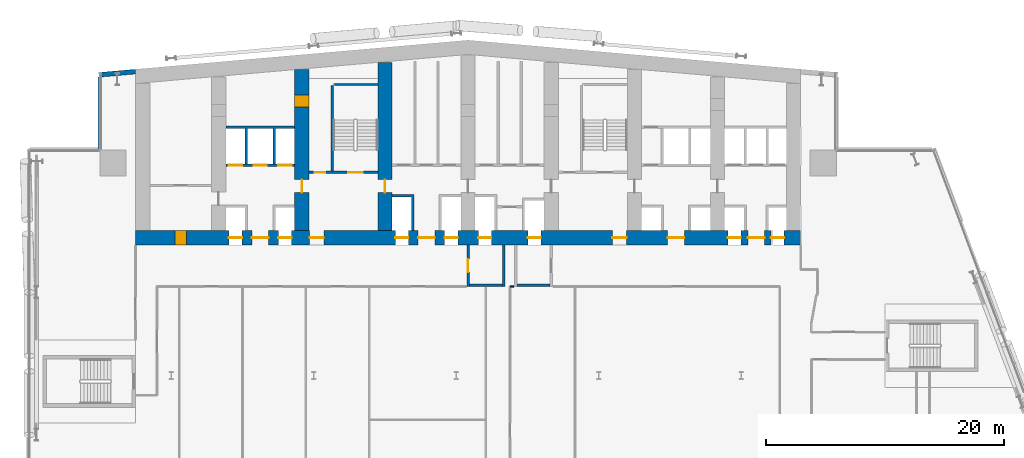
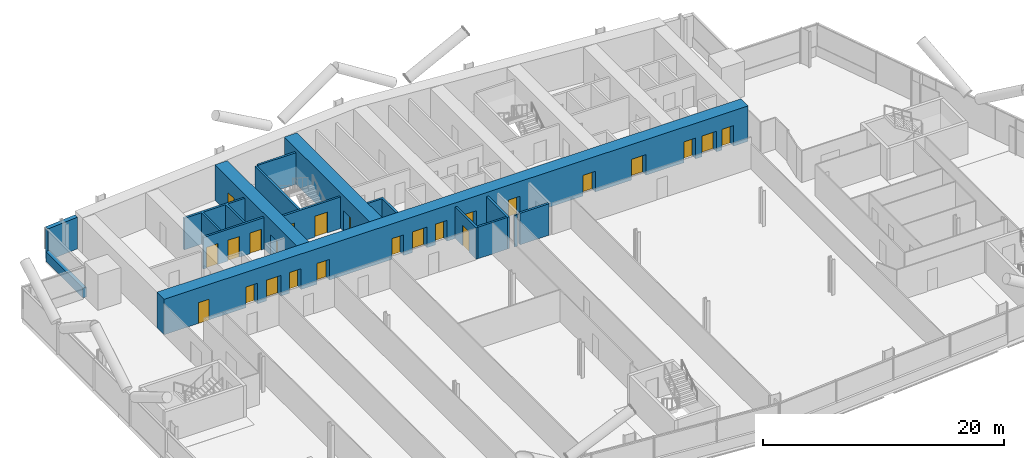
# One storey, part 14 of 25: 24 doors, 16 walls, 24 openings.
"""IFC4 building model written with IfcOpenShell, lengths in metres."""

from ifc_helpers import new_model, si_unit, direction, frame, frame_2d, origin, place, context, subcontext, project, spatial, polyline, rectangle, outline, extrude, material, layer, layer_set, type_object, element, fill, save


model = new_model("IFC4")

# Units and contexts
model_context = context("Model", 3, precision=1e-05, world=origin(), true_north=direction((0.0, 1.0)))
body_context = subcontext(model_context, "Body", "Model", "MODEL_VIEW")
ifc_project = project(units=[si_unit("LENGTHUNIT", "METRE"), si_unit("AREAUNIT", "SQUARE_METRE"), si_unit("VOLUMEUNIT", "CUBIC_METRE"), si_unit("PLANEANGLEUNIT", "RADIAN"), si_unit("MASSUNIT", "GRAM", prefix="KILO")], contexts=[model_context])

# Site, building, storey
site_placement = place(None, origin())
site = spatial("IfcSite", under=ifc_project, at=site_placement, CompositionType="ELEMENT")
building_placement = place(site_placement, origin())
building = spatial("IfcBuilding", under=site, at=building_placement, Name="Wharfspan Tower", CompositionType="ELEMENT")
storey_placement = place(building_placement, frame((0.0, 0.0, 63.100098)))
storey = spatial("IfcBuildingStorey", under=building, at=storey_placement, Name="L12", CompositionType="ELEMENT", Elevation=63.100098)

# Wall
ifc_material_1 = material(Name="Gypsum board on steel studs", Category="steel")
ifc_layer_1 = layer(ifc_material_1, 0.100098)
ifc_layer_set_1 = layer_set([ifc_layer_1], Name="Gypsum board on steel studs")
wall_type_1 = type_object("IfcWallType", Name="Compartment wall 100 EI 60", PredefinedType="PARTITIONING", material=ifc_layer_set_1)
wall_1_placement = place(storey_placement, frame((40.534912, 30.5, 0.0), z_axis=(0.0, 0.0, 1.0), x_axis=(1.0, 0.0, 0.0)))
element("IfcWall", 1, at=wall_1_placement, inside=storey, type_object=wall_type_1, Name="Partition L12.w018", PredefinedType="PARTITIONING", context=body_context, shape_type="SweptSolid", body=[
    extrude(rectangle(XDim=0.315186, YDim=0.100098, at=frame_2d((0.157715, 0.0))), origin(), (0.0, 0.0, 1.0), 3.199951),
])

# Wall, openings, doors
ifc_material_2 = material(Name="Concrete C70/85", Category="concrete")
ifc_layer_2 = layer(ifc_material_2, 1.199951)
ifc_layer_set_2 = layer_set([ifc_layer_2], Name="Concrete C70/85")
wall_type_2 = type_object("IfcWallType", Name="Core wall 1200 C70/85", PredefinedType="SHEAR", material=ifc_layer_set_2)
wall_2_placement = place(storey_placement, frame((9.0, 34.600098, 0.0), z_axis=(0.0, 0.0, 1.0), x_axis=(1.0, 0.0, 0.0)))
wall_2 = element("IfcWall", 2, at=wall_2_placement, inside=storey, type_object=wall_type_2, Name="Core front wall L12", PredefinedType="SHEAR", context=body_context, shape_type="SweptSolid", body=[
    extrude(rectangle(XDim=56.0, YDim=1.199951, at=frame_2d((28.0, 0.0))), origin(), (0.0, 0.0, 1.0), 3.599854),
])
opening_1_placement = place(wall_2_placement, frame((3.300049, 0.0, 0.0)))
opening_1 = element("IfcOpeningElement", 3, at=opening_1_placement, cuts=wall_2, Name="Opening CD12.01", PredefinedType="OPENING", context=body_context, shape_type="SweptSolid", body=[
    extrude(rectangle(XDim=1.0, YDim=2.100098, at=frame_2d((0.5, 1.050049))), frame((0.0, 0.609863, 0.0), z_axis=(0.0, -1.0, 0.0), x_axis=(1.0, 0.0, 0.0)), (0.0, 0.0, 1.0), 1.219971),
])
opening_2_placement = place(wall_2_placement, frame((7.866699, 0.0, 0.0)))
opening_2 = element("IfcOpeningElement", 4, at=opening_2_placement, cuts=wall_2, Name="Opening LD.LA1.L12", PredefinedType="OPENING", context=body_context, shape_type="SweptSolid", body=[
    extrude(rectangle(XDim=1.100098, YDim=2.100098, at=frame_2d((0.550049, 1.050049))), frame((0.0, 0.609863, 0.0), z_axis=(0.0, -1.0, 0.0), x_axis=(1.0, 0.0, 0.0)), (0.0, 0.0, 1.0), 1.219971),
])
opening_3_placement = place(wall_2_placement, frame((12.033203, 0.0, 0.0)))
opening_3 = element("IfcOpeningElement", 5, at=opening_3_placement, cuts=wall_2, Name="Opening LD.LA2.L12", PredefinedType="OPENING", context=body_context, shape_type="SweptSolid", body=[
    extrude(rectangle(XDim=1.100098, YDim=2.100098, at=frame_2d((0.550049, 1.050049))), frame((0.0, 0.609863, 0.0), z_axis=(0.0, -1.0, 0.0), x_axis=(1.0, 0.0, 0.0)), (0.0, 0.0, 1.0), 1.219971),
])
opening_4_placement = place(wall_2_placement, frame((9.800049, 0.0, 0.0)))
opening_4 = element("IfcOpeningElement", 6, at=opening_4_placement, cuts=wall_2, Name="Opening HD12.1", PredefinedType="OPENING", context=body_context, shape_type="SweptSolid", body=[
    extrude(rectangle(XDim=1.399902, YDim=2.100098, at=frame_2d((0.699951, 1.050049))), frame((0.0, 0.609863, 0.0), z_axis=(0.0, -1.0, 0.0), x_axis=(1.0, 0.0, 0.0)), (0.0, 0.0, 1.0), 1.219971),
])
opening_5_placement = place(wall_2_placement, frame((14.649902, 0.0, 0.0)))
opening_5 = element("IfcOpeningElement", 7, at=opening_5_placement, cuts=wall_2, Name="Opening SV2.L12", PredefinedType="OPENING", context=body_context, shape_type="SweptSolid", body=[
    extrude(rectangle(XDim=1.199951, YDim=2.100098, at=frame_2d((0.600098, 1.050049))), frame((0.0, 0.609863, 0.0), z_axis=(0.0, -1.0, 0.0), x_axis=(1.0, 0.0, 0.0)), (0.0, 0.0, 1.0), 1.219971),
])
opening_6_placement = place(wall_2_placement, frame((21.866699, 0.0, 0.0)))
opening_6 = element("IfcOpeningElement", 8, at=opening_6_placement, cuts=wall_2, Name="Opening LD.SL1.L12", PredefinedType="OPENING", context=body_context, shape_type="SweptSolid", body=[
    extrude(rectangle(XDim=1.100098, YDim=2.100098, at=frame_2d((0.550049, 1.050049))), frame((0.0, 0.609863, 0.0), z_axis=(0.0, -1.0, 0.0), x_axis=(1.0, 0.0, 0.0)), (0.0, 0.0, 1.0), 1.219971),
])
opening_7_placement = place(wall_2_placement, frame((26.033203, 0.0, 0.0)))
opening_7 = element("IfcOpeningElement", 9, at=opening_7_placement, cuts=wall_2, Name="Opening LD.SL2.L12", PredefinedType="OPENING", context=body_context, shape_type="SweptSolid", body=[
    extrude(rectangle(XDim=1.100098, YDim=2.100098, at=frame_2d((0.550049, 1.050049))), frame((0.0, 0.609863, 0.0), z_axis=(0.0, -1.0, 0.0), x_axis=(1.0, 0.0, 0.0)), (0.0, 0.0, 1.0), 1.219971),
])
opening_8_placement = place(wall_2_placement, frame((23.800049, 0.0, 0.0)))
opening_8 = element("IfcOpeningElement", 10, at=opening_8_placement, cuts=wall_2, Name="Opening HD12.3", PredefinedType="OPENING", context=body_context, shape_type="SweptSolid", body=[
    extrude(rectangle(XDim=1.399902, YDim=2.100098, at=frame_2d((0.699951, 1.050049))), frame((0.0, 0.609863, 0.0), z_axis=(0.0, -1.0, 0.0), x_axis=(1.0, 0.0, 0.0)), (0.0, 0.0, 1.0), 1.219971),
])
opening_9_placement = place(wall_2_placement, frame((28.866699, 0.0, 0.0)))
opening_9 = element("IfcOpeningElement", 11, at=opening_9_placement, cuts=wall_2, Name="Opening LD.FF1.L12", PredefinedType="OPENING", context=body_context, shape_type="SweptSolid", body=[
    extrude(rectangle(XDim=1.100098, YDim=2.100098, at=frame_2d((0.550049, 1.050049))), frame((0.0, 0.609863, 0.0), z_axis=(0.0, -1.0, 0.0), x_axis=(1.0, 0.0, 0.0)), (0.0, 0.0, 1.0), 1.219971),
])
opening_10_placement = place(wall_2_placement, frame((33.033203, 0.0, 0.0)))
opening_10 = element("IfcOpeningElement", 12, at=opening_10_placement, cuts=wall_2, Name="Opening LD.FF2.L12", PredefinedType="OPENING", context=body_context, shape_type="SweptSolid", body=[
    extrude(rectangle(XDim=1.100098, YDim=2.100098, at=frame_2d((0.550049, 1.050049))), frame((0.0, 0.609863, 0.0), z_axis=(0.0, -1.0, 0.0), x_axis=(1.0, 0.0, 0.0)), (0.0, 0.0, 1.0), 1.219971),
])
opening_11_placement = place(wall_2_placement, frame((40.149902, 0.0, 0.0)))
opening_11 = element("IfcOpeningElement", 13, at=opening_11_placement, cuts=wall_2, Name="Opening SV5.L12", PredefinedType="OPENING", context=body_context, shape_type="SweptSolid", body=[
    extrude(rectangle(XDim=1.199951, YDim=2.100098, at=frame_2d((0.600098, 1.050049))), frame((0.0, 0.609863, 0.0), z_axis=(0.0, -1.0, 0.0), x_axis=(1.0, 0.0, 0.0)), (0.0, 0.0, 1.0), 1.219971),
])
opening_12_placement = place(wall_2_placement, frame((44.800049, 0.0, 0.0)))
opening_12 = element("IfcOpeningElement", 14, at=opening_12_placement, cuts=wall_2, Name="Opening HD12.6", PredefinedType="OPENING", context=body_context, shape_type="SweptSolid", body=[
    extrude(rectangle(XDim=1.399902, YDim=2.100098, at=frame_2d((0.699951, 1.050049))), frame((0.0, 0.609863, 0.0), z_axis=(0.0, -1.0, 0.0), x_axis=(1.0, 0.0, 0.0)), (0.0, 0.0, 1.0), 1.219971),
])
opening_13_placement = place(wall_2_placement, frame((49.866699, 0.0, 0.0)))
opening_13 = element("IfcOpeningElement", 15, at=opening_13_placement, cuts=wall_2, Name="Opening LD.LA6.L12", PredefinedType="OPENING", context=body_context, shape_type="SweptSolid", body=[
    extrude(rectangle(XDim=1.100098, YDim=2.100098, at=frame_2d((0.550049, 1.050049))), frame((0.0, 0.609863, 0.0), z_axis=(0.0, -1.0, 0.0), x_axis=(1.0, 0.0, 0.0)), (0.0, 0.0, 1.0), 1.219971),
])
opening_14_placement = place(wall_2_placement, frame((53.5, 0.0, 0.0)))
opening_14 = element("IfcOpeningElement", 16, at=opening_14_placement, cuts=wall_2, Name="Opening LD.LA7.L12", PredefinedType="OPENING", context=body_context, shape_type="SweptSolid", body=[
    extrude(rectangle(XDim=1.100098, YDim=2.100098, at=frame_2d((0.550049, 1.050049))), frame((0.0, 0.609863, 0.0), z_axis=(0.0, -1.0, 0.0), x_axis=(1.0, 0.0, 0.0)), (0.0, 0.0, 1.0), 1.219971),
])
opening_15_placement = place(wall_2_placement, frame((51.56665, 0.0, 0.0)))
opening_15 = element("IfcOpeningElement", 17, at=opening_15_placement, cuts=wall_2, Name="Opening HD12.7", PredefinedType="OPENING", context=body_context, shape_type="SweptSolid", body=[
    extrude(rectangle(XDim=1.399902, YDim=2.100098, at=frame_2d((0.699951, 1.050049))), frame((0.0, 0.609863, 0.0), z_axis=(0.0, -1.0, 0.0), x_axis=(1.0, 0.0, 0.0)), (0.0, 0.0, 1.0), 1.219971),
])
ifc_material_3 = material(Name="Steel door leaf", Category="steel")
door_type_1 = type_object("IfcDoorType", Name="Core room door 1000x2100", OperationType="SINGLE_SWING_LEFT", PredefinedType="DOOR", material=ifc_material_3)
door_1_placement = place(opening_1_placement, origin())
door_1 = element("IfcDoor", 18, at=door_1_placement, inside=storey, type_object=door_type_1, Name="d:L12:0:rf", OperationType="SINGLE_SWING_LEFT", OverallHeight=2.100098, OverallWidth=1.0, PredefinedType="DOOR", context=body_context, shape_type="SweptSolid", body=[
    extrude(rectangle(XDim=1.0, YDim=2.100098, at=frame_2d((0.5, 1.050049))), frame((0.0, 0.599609, 0.0), z_axis=(0.0, -1.0, 0.0), x_axis=(1.0, 0.0, 0.0)), (0.0, 0.0, 1.0), 1.199463),
])
fill(opening_1, door_1)
door_type_2 = type_object("IfcDoorType", Name="Hall entry door 1400x2100", OperationType="DOUBLE_DOOR_SINGLE_SWING", PredefinedType="DOOR", material=ifc_material_3)
door_2_placement = place(opening_4_placement, origin())
door_2 = element("IfcDoor", 19, at=door_2_placement, inside=storey, type_object=door_type_2, Name="d:L12:1:hd1", OperationType="DOUBLE_DOOR_SINGLE_SWING", OverallHeight=2.100098, OverallWidth=1.399902, PredefinedType="DOOR", context=body_context, shape_type="SweptSolid", body=[
    extrude(rectangle(XDim=1.399902, YDim=2.100098, at=frame_2d((0.699951, 1.050049))), frame((0.0, 0.024902, 0.0), z_axis=(0.0, -1.0, 0.0), x_axis=(1.0, 0.0, 0.0)), (0.0, 0.0, 1.0), 0.050049),
])
fill(opening_4, door_2)
door_3_placement = place(opening_8_placement, origin())
door_3 = element("IfcDoor", 20, at=door_3_placement, inside=storey, type_object=door_type_2, Name="d:L12:3:hd3", OperationType="DOUBLE_DOOR_SINGLE_SWING", OverallHeight=2.100098, OverallWidth=1.399902, PredefinedType="DOOR", context=body_context, shape_type="SweptSolid", body=[
    extrude(rectangle(XDim=1.399902, YDim=2.100098, at=frame_2d((0.699951, 1.050049))), frame((0.0, 0.024902, 0.0), z_axis=(0.0, -1.0, 0.0), x_axis=(1.0, 0.0, 0.0)), (0.0, 0.0, 1.0), 0.050049),
])
fill(opening_8, door_3)
door_4_placement = place(opening_12_placement, origin())
door_4 = element("IfcDoor", 21, at=door_4_placement, inside=storey, type_object=door_type_2, Name="d:L12:6:hd6", OperationType="DOUBLE_DOOR_SINGLE_SWING", OverallHeight=2.100098, OverallWidth=1.399902, PredefinedType="DOOR", context=body_context, shape_type="SweptSolid", body=[
    extrude(rectangle(XDim=1.399902, YDim=2.100098, at=frame_2d((0.699951, 1.050049))), frame((0.0, 0.024902, 0.0), z_axis=(0.0, -1.0, 0.0), x_axis=(1.0, 0.0, 0.0)), (0.0, 0.0, 1.0), 0.050049),
])
fill(opening_12, door_4)
door_5_placement = place(opening_15_placement, origin())
door_5 = element("IfcDoor", 22, at=door_5_placement, inside=storey, type_object=door_type_2, Name="d:L12:7:hd7", OperationType="DOUBLE_DOOR_SINGLE_SWING", OverallHeight=2.100098, OverallWidth=1.399902, PredefinedType="DOOR", context=body_context, shape_type="SweptSolid", body=[
    extrude(rectangle(XDim=1.399902, YDim=2.100098, at=frame_2d((0.699951, 1.050049))), frame((0.0, 0.024902, 0.0), z_axis=(0.0, -1.0, 0.0), x_axis=(1.0, 0.0, 0.0)), (0.0, 0.0, 1.0), 0.050049),
])
fill(opening_15, door_5)
ifc_material_4 = material(Name="Stainless steel", Category="steel")
door_type_3 = type_object("IfcDoorType", Name="Lift landing door 1100x2100", OperationType="DOUBLE_DOOR_SLIDING", PredefinedType="DOOR", material=ifc_material_4)
door_6_placement = place(opening_2_placement, origin())
door_6 = element("IfcDoor", 23, at=door_6_placement, inside=storey, type_object=door_type_3, Name="Landing door LA1 L12", OperationType="DOUBLE_DOOR_SLIDING", OverallHeight=2.100098, OverallWidth=1.100098, PredefinedType="DOOR", context=body_context, shape_type="SweptSolid", body=[
    extrude(rectangle(XDim=1.100098, YDim=2.100098, at=frame_2d((0.550049, 1.050049))), frame((0.0, 0.024902, 0.0), z_axis=(0.0, -1.0, 0.0), x_axis=(1.0, 0.0, 0.0)), (0.0, 0.0, 1.0), 0.050049),
])
fill(opening_2, door_6)
door_7_placement = place(opening_3_placement, origin())
door_7 = element("IfcDoor", 24, at=door_7_placement, inside=storey, type_object=door_type_3, Name="Landing door LA2 L12", OperationType="DOUBLE_DOOR_SLIDING", OverallHeight=2.100098, OverallWidth=1.100098, PredefinedType="DOOR", context=body_context, shape_type="SweptSolid", body=[
    extrude(rectangle(XDim=1.100098, YDim=2.100098, at=frame_2d((0.550049, 1.050049))), frame((0.0, 0.024902, 0.0), z_axis=(0.0, -1.0, 0.0), x_axis=(1.0, 0.0, 0.0)), (0.0, 0.0, 1.0), 0.050049),
])
fill(opening_3, door_7)
door_8_placement = place(opening_6_placement, origin())
door_8 = element("IfcDoor", 25, at=door_8_placement, inside=storey, type_object=door_type_3, Name="Landing door SL1 L12", OperationType="DOUBLE_DOOR_SLIDING", OverallHeight=2.100098, OverallWidth=1.100098, PredefinedType="DOOR", context=body_context, shape_type="SweptSolid", body=[
    extrude(rectangle(XDim=1.100098, YDim=2.100098, at=frame_2d((0.550049, 1.050049))), frame((0.0, 0.024902, 0.0), z_axis=(0.0, -1.0, 0.0), x_axis=(1.0, 0.0, 0.0)), (0.0, 0.0, 1.0), 0.050049),
])
fill(opening_6, door_8)
door_9_placement = place(opening_7_placement, origin())
door_9 = element("IfcDoor", 26, at=door_9_placement, inside=storey, type_object=door_type_3, Name="Landing door SL2 L12", OperationType="DOUBLE_DOOR_SLIDING", OverallHeight=2.100098, OverallWidth=1.100098, PredefinedType="DOOR", context=body_context, shape_type="SweptSolid", body=[
    extrude(rectangle(XDim=1.100098, YDim=2.100098, at=frame_2d((0.550049, 1.050049))), frame((0.0, 0.024902, 0.0), z_axis=(0.0, -1.0, 0.0), x_axis=(1.0, 0.0, 0.0)), (0.0, 0.0, 1.0), 0.050049),
])
fill(opening_7, door_9)
door_10_placement = place(opening_9_placement, origin())
door_10 = element("IfcDoor", 27, at=door_10_placement, inside=storey, type_object=door_type_3, Name="Landing door FF1 L12", OperationType="DOUBLE_DOOR_SLIDING", OverallHeight=2.100098, OverallWidth=1.100098, PredefinedType="DOOR", context=body_context, shape_type="SweptSolid", body=[
    extrude(rectangle(XDim=1.100098, YDim=2.100098, at=frame_2d((0.550049, 1.050049))), frame((0.0, 0.024902, 0.0), z_axis=(0.0, -1.0, 0.0), x_axis=(1.0, 0.0, 0.0)), (0.0, 0.0, 1.0), 0.050049),
])
fill(opening_9, door_10)
door_11_placement = place(opening_10_placement, origin())
door_11 = element("IfcDoor", 28, at=door_11_placement, inside=storey, type_object=door_type_3, Name="Landing door FF2 L12", OperationType="DOUBLE_DOOR_SLIDING", OverallHeight=2.100098, OverallWidth=1.100098, PredefinedType="DOOR", context=body_context, shape_type="SweptSolid", body=[
    extrude(rectangle(XDim=1.100098, YDim=2.100098, at=frame_2d((0.550049, 1.050049))), frame((0.0, 0.024902, 0.0), z_axis=(0.0, -1.0, 0.0), x_axis=(1.0, 0.0, 0.0)), (0.0, 0.0, 1.0), 0.050049),
])
fill(opening_10, door_11)
door_12_placement = place(opening_13_placement, origin())
door_12 = element("IfcDoor", 29, at=door_12_placement, inside=storey, type_object=door_type_3, Name="Landing door LA6 L12", OperationType="DOUBLE_DOOR_SLIDING", OverallHeight=2.100098, OverallWidth=1.100098, PredefinedType="DOOR", context=body_context, shape_type="SweptSolid", body=[
    extrude(rectangle(XDim=1.100098, YDim=2.100098, at=frame_2d((0.550049, 1.050049))), frame((0.0, 0.024902, 0.0), z_axis=(0.0, -1.0, 0.0), x_axis=(1.0, 0.0, 0.0)), (0.0, 0.0, 1.0), 0.050049),
])
fill(opening_13, door_12)
door_13_placement = place(opening_14_placement, origin())
door_13 = element("IfcDoor", 30, at=door_13_placement, inside=storey, type_object=door_type_3, Name="Landing door LA7 L12", OperationType="DOUBLE_DOOR_SLIDING", OverallHeight=2.100098, OverallWidth=1.100098, PredefinedType="DOOR", context=body_context, shape_type="SweptSolid", body=[
    extrude(rectangle(XDim=1.100098, YDim=2.100098, at=frame_2d((0.550049, 1.050049))), frame((0.0, 0.024902, 0.0), z_axis=(0.0, -1.0, 0.0), x_axis=(1.0, 0.0, 0.0)), (0.0, 0.0, 1.0), 0.050049),
])
fill(opening_14, door_13)
door_type_4 = type_object("IfcDoorType", Name="Stair door 1200x2100", OperationType="SINGLE_SWING_LEFT", PredefinedType="DOOR", material=ifc_material_3)
door_14_placement = place(opening_5_placement, origin())
door_14 = element("IfcDoor", 31, at=door_14_placement, inside=storey, type_object=door_type_4, Name="vd:L12:2", OperationType="SINGLE_SWING_LEFT", OverallHeight=2.100098, OverallWidth=1.199951, PredefinedType="DOOR", context=body_context, shape_type="SweptSolid", body=[
    extrude(rectangle(XDim=1.199951, YDim=2.100098, at=frame_2d((0.600098, 1.050049))), frame((0.0, 0.024902, 0.0), z_axis=(0.0, -1.0, 0.0), x_axis=(1.0, 0.0, 0.0)), (0.0, 0.0, 1.0), 0.050049),
])
fill(opening_5, door_14)
door_15_placement = place(opening_11_placement, origin())
door_15 = element("IfcDoor", 32, at=door_15_placement, inside=storey, type_object=door_type_4, Name="vd:L12:5", OperationType="SINGLE_SWING_LEFT", OverallHeight=2.100098, OverallWidth=1.199951, PredefinedType="DOOR", context=body_context, shape_type="SweptSolid", body=[
    extrude(rectangle(XDim=1.199951, YDim=2.100098, at=frame_2d((0.600098, 1.050049))), frame((0.0, 0.024902, 0.0), z_axis=(0.0, -1.0, 0.0), x_axis=(1.0, 0.0, 0.0)), (0.0, 0.0, 1.0), 0.050049),
])
fill(opening_11, door_15)

wall_3_placement = place(storey_placement, frame((23.0, 35.199951, 0.0), z_axis=(0.0, 0.0, 1.0), x_axis=(0.0, 1.0, 0.0)))
wall_3 = element("IfcWall", 33, at=wall_3_placement, inside=storey, type_object=wall_type_2, Name="Core cross wall X2 L12", PredefinedType="SHEAR", context=body_context, shape_type="SweptSolid", body=[
    extrude(rectangle(XDim=13.555176, YDim=1.199951, at=frame_2d((6.777588, 0.0))), origin(), (0.0, 0.0, 1.0), 3.599854),
])
opening_16_placement = place(wall_3_placement, frame((10.413818, 0.0, 0.0)))
opening_16 = element("IfcOpeningElement", 34, at=opening_16_placement, cuts=wall_3, Name="Opening CD12.1X", PredefinedType="OPENING", context=body_context, shape_type="SweptSolid", body=[
    extrude(rectangle(XDim=1.0, YDim=2.100098, at=frame_2d((0.5, 1.050049))), frame((0.0, 0.609863, 0.0), z_axis=(0.0, -1.0, 0.0), x_axis=(1.0, 0.0, 0.0)), (0.0, 0.0, 1.0), 1.219971),
])
opening_17_placement = place(wall_3_placement, frame((3.199951, 0.0, 0.0)))
opening_17 = element("IfcOpeningElement", 35, at=opening_17_placement, cuts=wall_3, Name="Opening CC12.2", PredefinedType="OPENING", context=body_context, shape_type="SweptSolid", body=[
    extrude(rectangle(XDim=1.100098, YDim=2.100098, at=frame_2d((0.550049, 1.050049))), frame((0.0, 0.609863, 0.0), z_axis=(0.0, -1.0, 0.0), x_axis=(1.0, 0.0, 0.0)), (0.0, 0.0, 1.0), 1.219971),
])
door_type_5 = type_object("IfcDoorType", Name="Core corridor door 1100x2100", OperationType="SINGLE_SWING_LEFT", PredefinedType="DOOR", material=ifc_material_3)
door_16_placement = place(opening_17_placement, origin())
door_16 = element("IfcDoor", 36, at=door_16_placement, inside=storey, type_object=door_type_5, Name="xd:L12:2", OperationType="SINGLE_SWING_RIGHT", OverallHeight=2.100098, OverallWidth=1.100098, PredefinedType="DOOR", context=body_context, shape_type="SweptSolid", body=[
    extrude(rectangle(XDim=1.100098, YDim=2.100098, at=frame_2d((0.550049, 1.050049))), frame((0.0, 0.024902, 0.0), z_axis=(0.0, -1.0, 0.0), x_axis=(1.0, 0.0, 0.0)), (0.0, 0.0, 1.0), 0.050049),
])
fill(opening_17, door_16)
door_17_placement = place(opening_16_placement, origin())
door_17 = element("IfcDoor", 37, at=door_17_placement, inside=storey, type_object=door_type_1, Name="d:L12:1:sx", OperationType="SINGLE_SWING_LEFT", OverallHeight=2.100098, OverallWidth=1.0, PredefinedType="DOOR", context=body_context, shape_type="SweptSolid", body=[
    extrude(rectangle(XDim=1.0, YDim=2.100098, at=frame_2d((0.5, 1.050049))), frame((0.0, 0.599609, 0.0), z_axis=(0.0, -1.0, 0.0), x_axis=(1.0, 0.0, 0.0)), (0.0, 0.0, 1.0), 1.199463),
])
fill(opening_16, door_17)

# Wall, opening, door
wall_4_placement = place(storey_placement, frame((30.0, 35.199951, 0.0), z_axis=(0.0, 0.0, 1.0), x_axis=(0.0, 1.0, 0.0)))
wall_4 = element("IfcWall", 38, at=wall_4_placement, inside=storey, type_object=wall_type_2, Name="Core cross wall X3 L12", PredefinedType="SHEAR", context=body_context, shape_type="SweptSolid", body=[
    extrude(rectangle(XDim=14.167725, YDim=1.199951, at=frame_2d((7.083984, 0.0))), origin(), (0.0, 0.0, 1.0), 3.599854),
])
opening_18_placement = place(wall_4_placement, frame((3.199951, 0.0, 0.0)))
opening_18 = element("IfcOpeningElement", 39, at=opening_18_placement, cuts=wall_4, Name="Opening CC12.3", PredefinedType="OPENING", context=body_context, shape_type="SweptSolid", body=[
    extrude(rectangle(XDim=1.100098, YDim=2.100098, at=frame_2d((0.550049, 1.050049))), frame((0.0, 0.609863, 0.0), z_axis=(0.0, -1.0, 0.0), x_axis=(1.0, 0.0, 0.0)), (0.0, 0.0, 1.0), 1.219971),
])
door_18_placement = place(opening_18_placement, origin())
door_18 = element("IfcDoor", 40, at=door_18_placement, inside=storey, type_object=door_type_5, Name="xd:L12:3", OperationType="SINGLE_SWING_LEFT", OverallHeight=2.100098, OverallWidth=1.100098, PredefinedType="DOOR", context=body_context, shape_type="SweptSolid", body=[
    extrude(rectangle(XDim=1.100098, YDim=2.100098, at=frame_2d((0.550049, 1.050049))), frame((0.0, 0.024902, 0.0), z_axis=(0.0, -1.0, 0.0), x_axis=(1.0, 0.0, 0.0)), (0.0, 0.0, 1.0), 0.050049),
])
fill(opening_18, door_18)

# Wall, openings, doors
ifc_material_5 = material(Name="Concrete C30/37", Category="concrete")
ifc_layer_3 = layer(ifc_material_5, 0.199951)
ifc_layer_set_3 = layer_set([ifc_layer_3], Name="Concrete C30/37")
wall_type_3 = type_object("IfcWallType", Name="Lift shaft wall 200", PredefinedType="PARTITIONING", material=ifc_layer_set_3)
wall_5_placement = place(storey_placement, frame((16.600098, 40.699951, 0.0), z_axis=(0.0, 0.0, 1.0), x_axis=(1.0, 0.0, 0.0)))
wall_5 = element("IfcWall", 41, at=wall_5_placement, inside=storey, type_object=wall_type_3, Name="sw:L12:RF1", PredefinedType="PARTITIONING", context=body_context, shape_type="SweptSolid", body=[
    extrude(rectangle(XDim=5.799805, YDim=0.199951, at=frame_2d((2.899902, 0.0))), origin(), (0.0, 0.0, 1.0), 3.199951),
])
opening_19_placement = place(wall_5_placement, frame((0.266602, 0.0, 0.0)))
opening_19 = element("IfcOpeningElement", 42, at=opening_19_placement, cuts=wall_5, Name="Opening LD.LA3.L12", PredefinedType="OPENING", context=body_context, shape_type="SweptSolid", body=[
    extrude(rectangle(XDim=1.100098, YDim=2.100098, at=frame_2d((0.550049, 1.050049))), frame((0.0, 0.109863, 0.0), z_axis=(0.0, -1.0, 0.0), x_axis=(1.0, 0.0, 0.0)), (0.0, 0.0, 1.0), 0.219971),
])
opening_20_placement = place(wall_5_placement, frame((2.350098, 0.0, 0.0)))
opening_20 = element("IfcOpeningElement", 43, at=opening_20_placement, cuts=wall_5, Name="Opening LD.LA4.L12", PredefinedType="OPENING", context=body_context, shape_type="SweptSolid", body=[
    extrude(rectangle(XDim=1.100098, YDim=2.100098, at=frame_2d((0.550049, 1.050049))), frame((0.0, 0.109863, 0.0), z_axis=(0.0, -1.0, 0.0), x_axis=(1.0, 0.0, 0.0)), (0.0, 0.0, 1.0), 0.219971),
])
opening_21_placement = place(wall_5_placement, frame((4.43335, 0.0, 0.0)))
opening_21 = element("IfcOpeningElement", 44, at=opening_21_placement, cuts=wall_5, Name="Opening LD.LA5.L12", PredefinedType="OPENING", context=body_context, shape_type="SweptSolid", body=[
    extrude(rectangle(XDim=1.100098, YDim=2.100098, at=frame_2d((0.550049, 1.050049))), frame((0.0, 0.109863, 0.0), z_axis=(0.0, -1.0, 0.0), x_axis=(1.0, 0.0, 0.0)), (0.0, 0.0, 1.0), 0.219971),
])
door_19_placement = place(opening_19_placement, origin())
door_19 = element("IfcDoor", 45, at=door_19_placement, inside=storey, type_object=door_type_3, Name="Landing door LA3 L12", OperationType="DOUBLE_DOOR_SLIDING", OverallHeight=2.100098, OverallWidth=1.100098, PredefinedType="DOOR", context=body_context, shape_type="SweptSolid", body=[
    extrude(rectangle(XDim=1.100098, YDim=2.100098, at=frame_2d((0.550049, 1.050049))), frame((0.0, 0.024902, 0.0), z_axis=(0.0, -1.0, 0.0), x_axis=(1.0, 0.0, 0.0)), (0.0, 0.0, 1.0), 0.050049),
])
fill(opening_19, door_19)
door_20_placement = place(opening_20_placement, origin())
door_20 = element("IfcDoor", 46, at=door_20_placement, inside=storey, type_object=door_type_3, Name="Landing door LA4 L12", OperationType="DOUBLE_DOOR_SLIDING", OverallHeight=2.100098, OverallWidth=1.100098, PredefinedType="DOOR", context=body_context, shape_type="SweptSolid", body=[
    extrude(rectangle(XDim=1.100098, YDim=2.100098, at=frame_2d((0.550049, 1.050049))), frame((0.0, 0.024902, 0.0), z_axis=(0.0, -1.0, 0.0), x_axis=(1.0, 0.0, 0.0)), (0.0, 0.0, 1.0), 0.050049),
])
fill(opening_20, door_20)
door_21_placement = place(opening_21_placement, origin())
door_21 = element("IfcDoor", 47, at=door_21_placement, inside=storey, type_object=door_type_3, Name="Landing door LA5 L12", OperationType="DOUBLE_DOOR_SLIDING", OverallHeight=2.100098, OverallWidth=1.100098, PredefinedType="DOOR", context=body_context, shape_type="SweptSolid", body=[
    extrude(rectangle(XDim=1.100098, YDim=2.100098, at=frame_2d((0.550049, 1.050049))), frame((0.0, 0.024902, 0.0), z_axis=(0.0, -1.0, 0.0), x_axis=(1.0, 0.0, 0.0)), (0.0, 0.0, 1.0), 0.050049),
])
fill(opening_21, door_21)

# Walls
wall_6_placement = place(storey_placement, frame((0.0, 0.0, -0.000244)))
element("IfcWall", 48, at=wall_6_placement, inside=storey, type_object=wall_type_3, Name="sw:L12:RM1.0", PredefinedType="PARTITIONING", context=body_context, shape_type="SweptSolid", body=[
    extrude(outline(polyline([(18.43335, 40.800049), (18.233398, 40.800049), (18.233398, 43.800049), (16.600098, 43.800049), (16.600098, 44.0), (22.399902, 44.0), (22.399902, 43.800049), (20.766602, 43.800049), (20.766602, 40.800049), (20.56665, 40.800049), (20.56665, 43.800049), (18.43335, 43.800049), (18.43335, 40.800049)])), origin(), (0.0, 0.0, 1.0), 3.200195),
])
wall_7_placement = place(storey_placement, frame((0.0, 0.0, -0.000244)))
element("IfcWall", 49, at=wall_7_placement, inside=storey, type_object=wall_type_3, Name="sw:L12:FM3.0", PredefinedType="PARTITIONING", context=body_context, shape_type="SweptSolid", body=[
    extrude(outline(polyline([(32.233398, 38.050049), (30.600098, 38.050049), (30.600098, 38.25), (32.233398, 38.25), (32.43335, 38.25), (32.43335, 35.199951), (32.233398, 35.199951), (32.233398, 38.050049)])), origin(), (0.0, 0.0, 1.0), 3.200195),
])

# Wall, opening, door
ifc_layer_4 = layer(ifc_material_5, 0.199951)
ifc_layer_set_4 = layer_set([ifc_layer_4], Name="Concrete C30/37")
wall_type_4 = type_object("IfcWallType", Name="Lobby wall 200", PredefinedType="PARTITIONING", material=ifc_layer_set_4)
wall_8_placement = place(storey_placement, frame((37.0, 30.5, 0.0), z_axis=(0.0, 0.0, 1.0), x_axis=(0.0, 1.0, 0.0)))
wall_8 = element("IfcWall", 50, at=wall_8_placement, inside=storey, type_object=wall_type_4, Name="sw:L12:FLFF1W", PredefinedType="PARTITIONING", context=body_context, shape_type="SweptSolid", body=[
    extrude(rectangle(XDim=3.5, YDim=0.199951, at=frame_2d((1.75, 0.0))), origin(), (0.0, 0.0, 1.0), 3.199951),
])
opening_22_placement = place(wall_8_placement, frame((1.199951, 0.0, 0.0)))
opening_22 = element("IfcOpeningElement", 51, at=opening_22_placement, cuts=wall_8, Name="Opening FL.FF1.L12", PredefinedType="OPENING", context=body_context, shape_type="SweptSolid", body=[
    extrude(rectangle(XDim=1.100098, YDim=2.100098, at=frame_2d((0.550049, 1.050049))), frame((0.0, 0.109863, 0.0), z_axis=(0.0, -1.0, 0.0), x_axis=(1.0, 0.0, 0.0)), (0.0, 0.0, 1.0), 0.219971),
])
door_type_6 = type_object("IfcDoorType", Name="Firefighting lobby door 1100x2100", OperationType="SINGLE_SWING_LEFT", PredefinedType="DOOR", material=ifc_material_3)
door_22_placement = place(opening_22_placement, origin())
door_22 = element("IfcDoor", 52, at=door_22_placement, inside=storey, type_object=door_type_6, Name="fd:L12:FF1", OperationType="SINGLE_SWING_LEFT", OverallHeight=2.100098, OverallWidth=1.100098, PredefinedType="DOOR", context=body_context, shape_type="SweptSolid", body=[
    extrude(rectangle(XDim=1.100098, YDim=2.100098, at=frame_2d((0.550049, 1.050049))), frame((0.0, 0.024902, 0.0), z_axis=(0.0, -1.0, 0.0), x_axis=(1.0, 0.0, 0.0)), (0.0, 0.0, 1.0), 0.050049),
])
fill(opening_22, door_22)

# Walls
wall_9_placement = place(storey_placement, frame((40.0, 30.5, 0.0), z_axis=(0.0, 0.0, 1.0), x_axis=(0.0, 1.0, 0.0)))
element("IfcWall", 53, at=wall_9_placement, inside=storey, type_object=wall_type_4, Name="sw:L12:FLFF1E", PredefinedType="PARTITIONING", context=body_context, shape_type="SweptSolid", body=[
    extrude(rectangle(XDim=3.5, YDim=0.199951, at=frame_2d((1.75, 0.0))), origin(), (0.0, 0.0, 1.0), 3.199951),
])
for number, where, z_axis, x_axis, name in (
    (54, (37.100098, 30.600098, 0.0), (0.0, 0.0, 1.0), (1.0, 0.0, 0.0), "sw:L12:FLFF1F"),
    (55, (41.100098, 30.600098, 0.0), (0.0, 0.0, 1.0), (1.0, 0.0, 0.0), "sw:L12:FLFF2F"),
):
    element("IfcWall", number, at=place(storey_placement, frame(where, z_axis=z_axis, x_axis=x_axis)), inside=storey, type_object=wall_type_4, Name=name, PredefinedType="PARTITIONING", context=body_context, shape_type="SweptSolid", body=[
        extrude(rectangle(XDim=2.799805, YDim=0.199951, at=frame_2d((1.399902, 0.0))), origin(), (0.0, 0.0, 1.0), 3.199951),
    ])
ifc_material_6 = material(Name="Concrete C40/50", Category="concrete")
ifc_layer_5 = layer(ifc_material_6, 0.350098)
ifc_layer_set_5 = layer_set([ifc_layer_5], Name="Concrete C40/50")
wall_type_5 = type_object("IfcWallType", Name="SPANDREL EXPOSED CONCRETE 350", PredefinedType="SOLIDWALL", material=ifc_layer_set_5)
wall_10_placement = place(storey_placement, frame((5.995117, 48.126465, 0.0), z_axis=(0.0, 0.0, 1.0), x_axis=(0.0, -1.0, 0.0)))
element("IfcWall", 56, at=wall_10_placement, inside=storey, type_object=wall_type_5, Name="Spandrel upstand L12 NRW-V", PredefinedType="SOLIDWALL", context=body_context, shape_type="SweptSolid", body=[
    extrude(rectangle(XDim=6.126465, YDim=0.350098, at=frame_2d((3.063232, 0.0))), origin(), (0.0, 0.0, 1.0), 1.0),
])

# Wall, openings, doors
ifc_layer_6 = layer(ifc_material_6, 0.199951)
ifc_layer_set_6 = layer_set([ifc_layer_6], Name="Concrete C40/50")
wall_type_6 = type_object("IfcWallType", Name="Stair shaft wall 200", PredefinedType="SHEAR", material=ifc_layer_set_6)
wall_11_placement = place(storey_placement, frame((23.600098, 40.100098, 0.0), z_axis=(0.0, 0.0, 1.0), x_axis=(1.0, 0.0, 0.0)))
wall_11 = element("IfcWall", 57, at=wall_11_placement, inside=storey, type_object=wall_type_6, Name="ST1 stair enclosure wall L12", PredefinedType="SHEAR", context=body_context, shape_type="SweptSolid", body=[
    extrude(rectangle(XDim=5.799805, YDim=0.199951, at=frame_2d((2.899902, 0.0))), origin(), (0.0, 0.0, 1.0), 3.199951),
])
opening_23_placement = place(wall_11_placement, frame((3.324951, 0.0, 0.0)))
opening_23 = element("IfcOpeningElement", 58, at=opening_23_placement, cuts=wall_11, Name="Opening SD2.L12", PredefinedType="OPENING", context=body_context, shape_type="SweptSolid", body=[
    extrude(rectangle(XDim=1.199951, YDim=2.100098, at=frame_2d((0.600098, 1.050049))), frame((0.0, 0.109863, 0.0), z_axis=(0.0, -1.0, 0.0), x_axis=(1.0, 0.0, 0.0)), (0.0, 0.0, 1.0), 0.219971),
])
opening_24_placement = place(wall_11_placement, frame((0.475098, 0.0, 0.0)))
opening_24 = element("IfcOpeningElement", 59, at=opening_24_placement, cuts=wall_11, Name="Opening CD12.2R", PredefinedType="OPENING", context=body_context, shape_type="SweptSolid", body=[
    extrude(rectangle(XDim=0.899902, YDim=2.100098, at=frame_2d((0.449951, 1.050049))), frame((0.0, 0.109863, 0.0), z_axis=(0.0, -1.0, 0.0), x_axis=(1.0, 0.0, 0.0)), (0.0, 0.0, 1.0), 0.219971),
])
door_23_placement = place(opening_24_placement, origin())
door_23 = element("IfcDoor", 60, at=door_23_placement, inside=storey, type_object=door_type_1, Name="rk:L12:2", OperationType="SINGLE_SWING_LEFT", OverallHeight=2.100098, OverallWidth=0.899902, PredefinedType="DOOR", context=body_context, shape_type="SweptSolid", body=[
    extrude(rectangle(XDim=0.899902, YDim=2.100098, at=frame_2d((0.449951, 1.050049))), frame((0.0, 0.024902, 0.0), z_axis=(0.0, -1.0, 0.0), x_axis=(1.0, 0.0, 0.0)), (0.0, 0.0, 1.0), 0.050049),
])
fill(opening_24, door_23)
door_24_placement = place(opening_23_placement, origin())
door_24 = element("IfcDoor", 61, at=door_24_placement, inside=storey, type_object=door_type_4, Name="sd:L12:2", OperationType="SINGLE_SWING_RIGHT", OverallHeight=2.100098, OverallWidth=1.199951, PredefinedType="DOOR", context=body_context, shape_type="SweptSolid", body=[
    extrude(rectangle(XDim=1.199951, YDim=2.100098, at=frame_2d((0.600098, 1.050049))), frame((0.0, 0.024902, 0.0), z_axis=(0.0, -1.0, 0.0), x_axis=(1.0, 0.0, 0.0)), (0.0, 0.0, 1.0), 0.050049),
])
fill(opening_23, door_24)

# Walls
wall_12_placement = place(storey_placement, frame((25.550049, 40.199951, 0.0), z_axis=(0.0, 0.0, 1.0), x_axis=(0.0, 1.0, 0.0)))
element("IfcWall", 62, at=wall_12_placement, inside=storey, type_object=wall_type_6, Name="ST1 stair enclosure wall L12", PredefinedType="SHEAR", context=body_context, shape_type="SweptSolid", body=[
    extrude(rectangle(XDim=7.199951, YDim=0.199951, at=frame_2d((3.600098, 0.0))), origin(), (0.0, 0.0, 1.0), 3.199951),
])
wall_13_placement = place(storey_placement, frame((25.75, 47.5, 0.0), z_axis=(0.0, 0.0, 1.0), x_axis=(1.0, 0.0, 0.0)))
element("IfcWall", 63, at=wall_13_placement, inside=storey, type_object=wall_type_6, Name="ST1 stair enclosure wall L12", PredefinedType="SHEAR", context=body_context, shape_type="SweptSolid", body=[
    extrude(rectangle(XDim=3.649902, YDim=0.199951, at=frame_2d((1.824951, 0.0))), origin(), (0.0, 0.0, 1.0), 3.199951),
])
ifc_layer_7 = layer(ifc_material_6, 0.399902)
ifc_layer_set_7 = layer_set([ifc_layer_7], Name="Concrete C40/50")
wall_type_7 = type_object("IfcWallType", Name="WALL EXPOSED CONCRETE 400", PredefinedType="SOLIDWALL", material=ifc_layer_set_7)
wall_14_placement = place(storey_placement, frame((9.0, 48.58667, 0.0), z_axis=(0.0, 0.0, 1.0), x_axis=(-0.996194, -0.087168, 0.0)))
element("IfcWall", 64, at=wall_14_placement, inside=storey, type_object=wall_type_7, Name="Rear wall N1", PredefinedType="SOLIDWALL", context=body_context, shape_type="SweptSolid", body=[
    extrude(rectangle(XDim=2.994141, YDim=0.399902, at=frame_2d((1.49707, 0.0))), origin(), (0.0, 0.0, 1.0), 3.199951),
])

save(model, "model.ifc")
